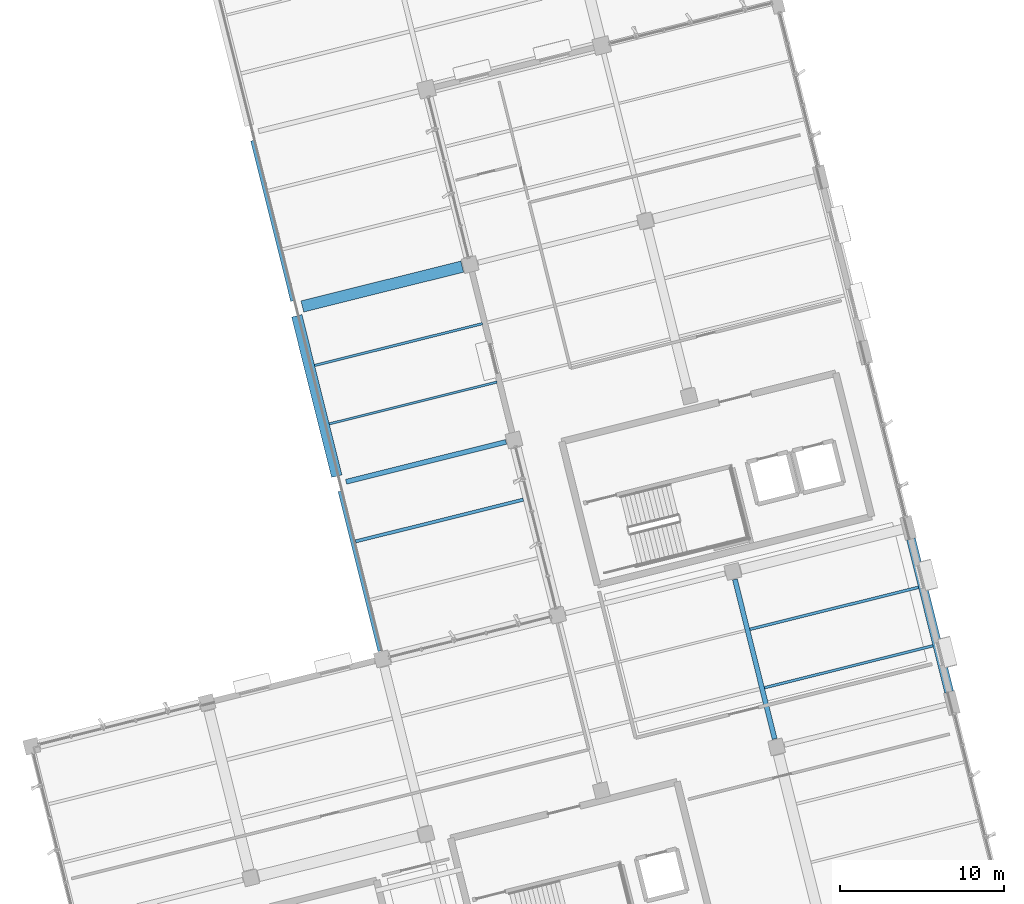
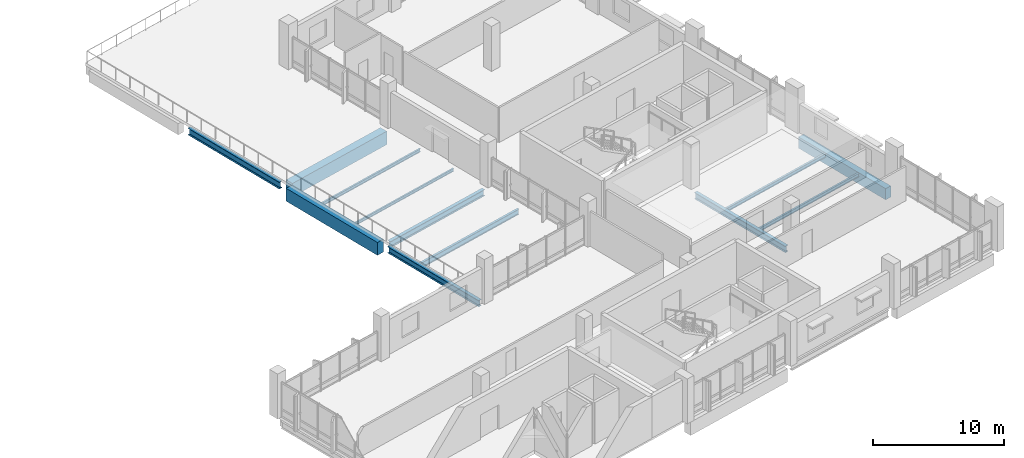
# One storey, part 13 of 42: 12 beams.
"""IFC4 building model written with IfcOpenShell, lengths in metres."""

from ifc_helpers import new_model, si_unit, direction, frame, origin, origin_2d, place, context, subcontext, project, spatial, rectangle, i_section, extrude, material, material_profile, profile_set, type_object, element, save


model = new_model("IFC4")

# Units and contexts
model_context = context("Model", 3, precision=1e-05, world=origin(), true_north=direction((0.0, 1.0)))
body_context = subcontext(model_context, "Body", "Model", "MODEL_VIEW")
ifc_project = project(units=[si_unit("LENGTHUNIT", "METRE"), si_unit("AREAUNIT", "SQUARE_METRE"), si_unit("VOLUMEUNIT", "CUBIC_METRE"), si_unit("PLANEANGLEUNIT", "RADIAN"), si_unit("MASSUNIT", "GRAM", prefix="KILO")], contexts=[model_context])

# Site, building, storey
site_placement = place(None, origin())
site = spatial("IfcSite", under=ifc_project, at=site_placement, CompositionType="ELEMENT")
building_placement = place(site_placement, origin())
building = spatial("IfcBuilding", under=site, at=building_placement, Name="Khorjan Park Terminus", CompositionType="ELEMENT")
storey_placement = place(building_placement, frame((0.0, 0.0, 20.4)))
storey = spatial("IfcBuildingStorey", under=building, at=storey_placement, Name="L04", CompositionType="ELEMENT", Elevation=20.4)

# Beams
ifc_material_1 = material(Name="Steel S355", Category="steel")
ifc_material_profile_1 = material_profile(ifc_material_1, i_section(OverallWidth=0.3, OverallDepth=0.59, WebThickness=0.013, FlangeThickness=0.025, FilletRadius=0.027, at=origin_2d()), Name="HEA 600")
ifc_profile_set_1 = profile_set([ifc_material_profile_1], Name="Steel S355")
beam_type_1 = type_object("IfcBeamType", Name="BM-HEA600", PredefinedType="BEAM", material=ifc_profile_set_1)
for number, where, z_axis, x_axis, name in (
    (1, (190.4924, 42.1169, -0.555), (0.970295301267, 0.24192360021, 0.0), (-0.24192360021, 0.970295301267, 0.0), "Primary skew-grid floor girder SB-A60 (L04)"),
    (2, (192.5777, 31.8102, -0.555), (-0.24192360021, 0.970295301267, 0.0), (-0.970295301267, -0.24192360021, 0.0), "Primary skew-grid floor girder SB-A60 (L04)"),
):
    element("IfcBeam", number, at=place(storey_placement, frame(where, z_axis=z_axis, x_axis=x_axis)), inside=storey, type_object=beam_type_1, Name=name, PredefinedType="BEAM", context=body_context, shape_type="SweptSolid", body=[
        extrude(i_section(OverallWidth=0.3, OverallDepth=0.59, WebThickness=0.013, FlangeThickness=0.025, FilletRadius=0.027, at=origin_2d()), origin(), (0.0, 0.0, 1.0), 10.035),
    ])
ifc_material_profile_2 = material_profile(ifc_material_1, i_section(OverallWidth=0.3, OverallDepth=0.64, WebThickness=0.0135, FlangeThickness=0.026, FilletRadius=0.027, at=origin_2d()), Name="HEA 650")
ifc_profile_set_2 = profile_set([ifc_material_profile_2], Name="Steel S355")
beam_type_2 = type_object("IfcBeamType", Name="BM-HEA650", PredefinedType="BEAM", material=ifc_profile_set_2)
beam_1_placement = place(storey_placement, frame((187.2615, 53.1325, -0.58), z_axis=(-0.241920438591, 0.970296089548, 0.0), x_axis=(-0.970296089548, -0.241920438591, 0.0)))
element("IfcBeam", 3, at=beam_1_placement, inside=storey, type_object=beam_type_2, Name="Primary skew-grid floor girder SB-A65 (L04)", PredefinedType="BEAM", context=body_context, shape_type="SweptSolid", body=[
    extrude(i_section(OverallWidth=0.3, OverallDepth=0.64, WebThickness=0.0135, FlangeThickness=0.026, FilletRadius=0.027, at=origin_2d()), origin(), (0.0, 0.0, 1.0), 10.0599),
])
ifc_material_profile_3 = material_profile(ifc_material_1, i_section(OverallWidth=0.3, OverallDepth=0.6, WebThickness=0.0155, FlangeThickness=0.03, FilletRadius=0.027, at=origin_2d()), Name="HEB 600")
ifc_profile_set_3 = profile_set([ifc_material_profile_3], Name="Steel S355")
beam_type_3 = type_object("IfcBeamType", Name="BM-HEB600", PredefinedType="BEAM", material=ifc_profile_set_3)
beam_2_placement = place(storey_placement, frame((216.5854, 26.4593, -0.64), z_axis=(-0.241929122643, 0.970293924343, 0.0), x_axis=(-0.970293924343, -0.241929122643, 0.0)))
element("IfcBeam", 4, at=beam_2_placement, inside=storey, type_object=beam_type_3, Name="Primary skew-grid floor girder SB-B60 (L04)", PredefinedType="BEAM", context=body_context, shape_type="SweptSolid", body=[
    extrude(i_section(OverallWidth=0.3, OverallDepth=0.6, WebThickness=0.0155, FlangeThickness=0.03, FilletRadius=0.027, at=origin_2d()), origin(), (0.0, 0.0, 1.0), 10.01),
])
ifc_material_2 = material(Name="Concrete C40/50", Category="concrete")
ifc_material_profile_4 = material_profile(ifc_material_2, rectangle(XDim=0.55, YDim=1.05, at=origin_2d()), Name="RC 550x1050")
ifc_profile_set_4 = profile_set([ifc_material_profile_4], Name="Concrete C40/50")
beam_type_4 = type_object("IfcBeamType", Name="BM-RC550x1050", PredefinedType="BEAM", material=ifc_profile_set_4)
beam_3_placement = place(storey_placement, frame((227.2102, 29.3145, -0.865), z_axis=(-0.241916119113, 0.970297166498, 0.0), x_axis=(-0.970297166498, -0.241916119113, 0.0)))
element("IfcBeam", 5, at=beam_3_placement, inside=storey, type_object=beam_type_4, Name="Primary skew-grid floor girder GB-105 (L04)", PredefinedType="BEAM", context=body_context, shape_type="SweptSolid", body=[
    extrude(rectangle(XDim=0.55, YDim=1.05, at=origin_2d()), origin(), (0.0, 0.0, 1.0), 9.6099),
])
ifc_material_profile_5 = material_profile(ifc_material_2, rectangle(XDim=0.65, YDim=1.2, at=origin_2d()), Name="RC 650x1200")
ifc_profile_set_5 = profile_set([ifc_material_profile_5], Name="Concrete C40/50")
beam_type_5 = type_object("IfcBeamType", Name="BM-RC650x1200", PredefinedType="BEAM", material=ifc_profile_set_5)
beam_4_placement = place(storey_placement, frame((189.9226, 42.4592, -0.86), z_axis=(-0.24191810525, 0.970296671309, 0.0), x_axis=(-0.970296671309, -0.24191810525, 0.0)))
element("IfcBeam", 6, at=beam_4_placement, inside=storey, type_object=beam_type_5, Name="Primary skew-grid floor girder GB-12 (L04)", PredefinedType="BEAM", context=body_context, shape_type="SweptSolid", body=[
    extrude(rectangle(XDim=0.65, YDim=1.2, at=origin_2d()), origin(), (0.0, 0.0, 1.0), 10.06),
])
ifc_material_profile_6 = material_profile(ifc_material_2, rectangle(XDim=0.7, YDim=1.25, at=origin_2d()), Name="RC 700x1250")
ifc_profile_set_6 = profile_set([ifc_material_profile_6], Name="Concrete C40/50")
beam_type_6 = type_object("IfcBeamType", Name="BM-RC700x1250", PredefinedType="BEAM", material=ifc_profile_set_6)
beam_5_placement = place(storey_placement, frame((187.8312, 52.7901, -0.885), z_axis=(0.970295884489, 0.241921261043, 0.0), x_axis=(-0.241921261043, 0.970295884489, 0.0)))
element("IfcBeam", 7, at=beam_5_placement, inside=storey, type_object=beam_type_6, Name="Primary skew-grid floor girder GB-125 (L04)", PredefinedType="BEAM", context=body_context, shape_type="SweptSolid", body=[
    extrude(rectangle(XDim=0.7, YDim=1.25, at=origin_2d()), origin(), (0.0, 0.0, 1.0), 10.0351),
])
ifc_material_profile_7 = material_profile(ifc_material_1, i_section(OverallWidth=0.135, OverallDepth=0.27, WebThickness=0.0066, FlangeThickness=0.0102, FilletRadius=0.015, at=origin_2d()), Name="IPE 270")
ifc_profile_set_7 = profile_set([ifc_material_profile_7], Name="Steel S355")
beam_type_7 = type_object("IfcBeamType", Name="JS-IPE270", PredefinedType="JOIST", material=ifc_profile_set_7)
beam_6_placement = place(storey_placement, frame((189.4646, 45.6396, -0.475), z_axis=(0.970296558074, 0.241918559415, 0.0), x_axis=(-0.241918559415, 0.970296558074, 0.0)))
element("IfcBeam", 8, at=beam_6_placement, inside=storey, type_object=beam_type_7, Name="Secondary composite floor joist SJ-27 (L04)", PredefinedType="JOIST", context=body_context, shape_type="SweptSolid", body=[
    extrude(i_section(OverallWidth=0.135, OverallDepth=0.27, WebThickness=0.0066, FlangeThickness=0.0102, FilletRadius=0.015, at=origin_2d()), origin(), (0.0, 0.0, 1.0), 10.525),
])
ifc_material_profile_8 = material_profile(ifc_material_1, i_section(OverallWidth=0.15, OverallDepth=0.3, WebThickness=0.0071, FlangeThickness=0.0107, FilletRadius=0.015, at=origin_2d()), Name="IPE 300")
ifc_profile_set_8 = profile_set([ifc_material_profile_8], Name="Steel S355")
beam_type_8 = type_object("IfcBeamType", Name="JS-IPE300", PredefinedType="JOIST", material=ifc_profile_set_8)
beam_7_placement = place(storey_placement, frame((188.5776, 49.1973, -0.49), z_axis=(0.970296558074, 0.241918559415, 0.0), x_axis=(-0.241918559415, 0.970296558074, 0.0)))
element("IfcBeam", 9, at=beam_7_placement, inside=storey, type_object=beam_type_8, Name="Secondary composite floor joist SJ-30 (L04)", PredefinedType="JOIST", context=body_context, shape_type="SweptSolid", body=[
    extrude(i_section(OverallWidth=0.15, OverallDepth=0.3, WebThickness=0.0071, FlangeThickness=0.0107, FilletRadius=0.015, at=origin_2d()), origin(), (0.0, 0.0, 1.0), 10.525),
])
ifc_material_profile_9 = material_profile(ifc_material_1, i_section(OverallWidth=0.16, OverallDepth=0.33, WebThickness=0.0075, FlangeThickness=0.0115, FilletRadius=0.018, at=origin_2d()), Name="IPE 330")
ifc_profile_set_9 = profile_set([ifc_material_profile_9], Name="Steel S355")
beam_type_9 = type_object("IfcBeamType", Name="JS-IPE330", PredefinedType="JOIST", material=ifc_profile_set_9)
beam_8_placement = place(storey_placement, frame((215.9636, 29.573, -0.505), z_axis=(0.970294165893, 0.241928153868, 0.0), x_axis=(-0.241928153868, 0.970294165893, 0.0)))
element("IfcBeam", 10, at=beam_8_placement, inside=storey, type_object=beam_type_9, Name="Secondary composite floor joist SJ-33 (L04)", PredefinedType="JOIST", context=body_context, shape_type="SweptSolid", body=[
    extrude(i_section(OverallWidth=0.16, OverallDepth=0.33, WebThickness=0.0075, FlangeThickness=0.0115, FilletRadius=0.018, at=origin_2d()), origin(), (0.0, 0.0, 1.0), 10.575),
])
ifc_material_profile_10 = material_profile(ifc_material_1, i_section(OverallWidth=0.17, OverallDepth=0.36, WebThickness=0.008, FlangeThickness=0.0127, FilletRadius=0.018, at=origin_2d()), Name="IPE 360")
ifc_profile_set_10 = profile_set([ifc_material_profile_10], Name="Steel S355")
beam_type_10 = type_object("IfcBeamType", Name="JS-IPE360", PredefinedType="JOIST", material=ifc_profile_set_10)
beam_9_placement = place(storey_placement, frame((215.0766, 33.1307, -0.52), z_axis=(0.970296385626, 0.241919251074, 0.0), x_axis=(-0.241919251074, 0.970296385626, 0.0)))
element("IfcBeam", 11, at=beam_9_placement, inside=storey, type_object=beam_type_10, Name="Secondary composite floor joist SJ-36 (L04)", PredefinedType="JOIST", context=body_context, shape_type="SweptSolid", body=[
    extrude(i_section(OverallWidth=0.17, OverallDepth=0.36, WebThickness=0.008, FlangeThickness=0.0127, FilletRadius=0.018, at=origin_2d()), origin(), (0.0, 0.0, 1.0), 10.575),
])
ifc_material_profile_11 = material_profile(ifc_material_1, i_section(OverallWidth=0.2, OverallDepth=0.5, WebThickness=0.0102, FlangeThickness=0.016, FilletRadius=0.021, at=origin_2d()), Name="IPE 500")
ifc_profile_set_11 = profile_set([ifc_material_profile_11], Name="Steel S355")
beam_type_11 = type_object("IfcBeamType", Name="JS-IPE500", PredefinedType="JOIST", material=ifc_profile_set_11)
beam_10_placement = place(storey_placement, frame((191.0689, 38.4817, -0.59), z_axis=(0.970296558074, 0.241918559415, 0.0), x_axis=(-0.241918559415, 0.970296558074, 0.0)))
element("IfcBeam", 12, at=beam_10_placement, inside=storey, type_object=beam_type_11, Name="Secondary composite floor joist SJ-50 (L04)", PredefinedType="JOIST", context=body_context, shape_type="SweptSolid", body=[
    extrude(i_section(OverallWidth=0.2, OverallDepth=0.5, WebThickness=0.0102, FlangeThickness=0.016, FilletRadius=0.021, at=origin_2d()), origin(), (0.0, 0.0, 1.0), 10.525),
])

save(model, "model.ifc")
